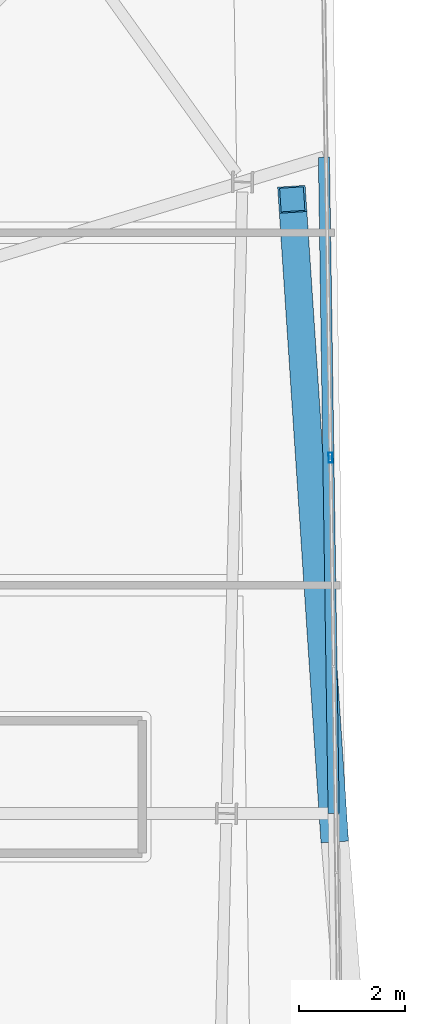
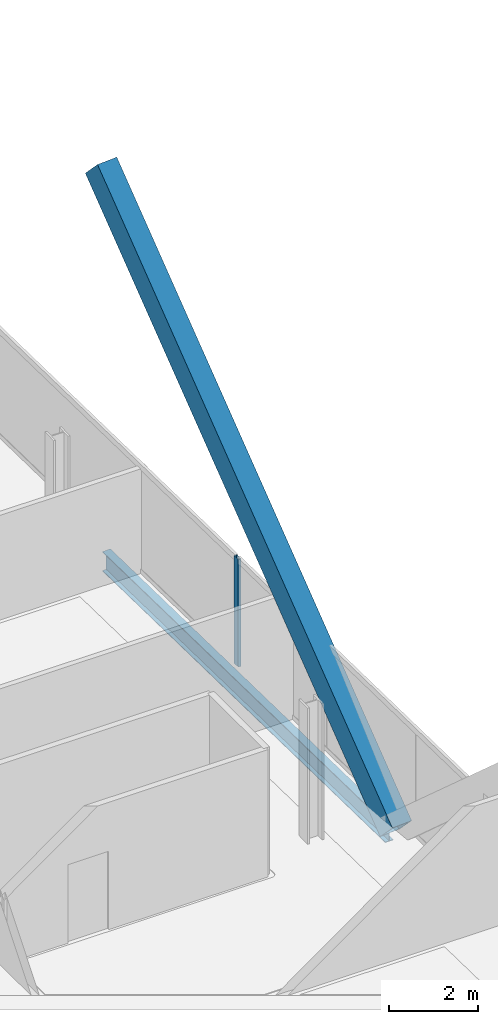
# One storey, part 13 of 25: 2 members, 1 beam, 1 element without a shape of its own.
"""IFC4 building model written with IfcOpenShell, lengths in metres."""

from ifc_helpers import new_model, si_unit, direction, frame, origin, origin_2d, place, context, subcontext, project, spatial, hollow_rectangle, i_section, extrude, material, material_profile, profile_set, type_object, element, aggregate, save


model = new_model("IFC4")

# Units and contexts
model_context = context("Model", 3, precision=1e-05, world=origin(), true_north=direction((0.0, 1.0)))
body_context = subcontext(model_context, "Body", "Model", "MODEL_VIEW")
ifc_project = project(units=[si_unit("LENGTHUNIT", "METRE"), si_unit("AREAUNIT", "SQUARE_METRE"), si_unit("VOLUMEUNIT", "CUBIC_METRE"), si_unit("PLANEANGLEUNIT", "RADIAN"), si_unit("MASSUNIT", "GRAM", prefix="KILO")], contexts=[model_context])

# Site, building, storey
site_placement = place(None, origin())
site = spatial("IfcSite", under=ifc_project, at=site_placement, CompositionType="ELEMENT")
building_placement = place(site_placement, origin())
building = spatial("IfcBuilding", under=site, at=building_placement, Name="Haldenkirk Collegiate Tower", CompositionType="ELEMENT")
storey_placement = place(building_placement, frame((0.0, 0.0, 332.699951171875)))
storey = spatial("IfcBuildingStorey", under=building, at=storey_placement, Name="L84", CompositionType="ELEMENT", Elevation=332.699951171875)

# Beam
ifc_material_1 = material(Name="Steel ASTM A992 Grade 50", Category="steel")
ifc_material_profile_1 = material_profile(ifc_material_1, i_section(OverallWidth=0.2099609375, OverallDepth=0.537109375, WebThickness=0.010986328125, FlangeThickness=0.017333984375, at=origin_2d()), Name="W21X68")
ifc_profile_set_1 = profile_set([ifc_material_profile_1], Name="Steel ASTM A992 Grade 50")
beam_type = type_object("IfcBeamType", Name="BM-SPANDREL-W21X68", PredefinedType="SPANDREL", material=ifc_profile_set_1)
beam_placement = place(storey_placement, frame((57.914794921875, 25.496337890625, -0.528564453125), z_axis=(-0.014828376593, 0.99989005358, 0.0), x_axis=(-0.99989005358, -0.014828376593, 0.0)))
element("IfcBeam", 1, at=beam_placement, inside=storey, type_object=beam_type, Name="L84 outer facade edge beam 1B", PredefinedType="SPANDREL", context=body_context, shape_type="SweptSolid", body=[
    extrude(i_section(OverallWidth=0.2099609375, OverallDepth=0.537109375, WebThickness=0.010986328125, FlangeThickness=0.017333984375, at=origin_2d()), origin(), (0.0, 0.0, 1.0), 12.38134765625),
])

# Curtain wall, member
ifc_material_2 = material(Name="Anodised architectural bronze aluminium", Category="aluminium")
curtain_wall_type = type_object("IfcCurtainWallType", Name="CW-SYS2-CONCAVE", PredefinedType="USERDEFINED", material=ifc_material_2)
curtain_wall_placement = place(storey_placement, origin())
curtain_wall = element("IfcCurtainWall", 2, at=curtain_wall_placement, inside=storey, type_object=curtain_wall_type, Name="L84 South concave recessed bronze-anodised curtain wall", ObjectType="UNITISED CURTAIN WALL", PredefinedType="USERDEFINED")
ifc_material_profile_2 = material_profile(ifc_material_2, hollow_rectangle(XDim=0.074951171875, YDim=0.18994140625, WallThickness=0.0048828125, at=origin_2d()), Name="CW-MUL-02")
ifc_profile_set_2 = profile_set([ifc_material_profile_2], Name="Anodised architectural bronze aluminium")
member_type_1 = type_object("IfcMemberType", Name="CW-MUL-02", PredefinedType="MULLION", material=ifc_profile_set_2)
member_1_placement = place(storey_placement, frame((57.855224609375, 32.208251953125, 0.0), z_axis=(0.0, 0.0, 1.0), x_axis=(0.99988998696, 0.014832868138, 0.0)))
member_1 = element("IfcMember", 3, at=member_1_placement, type_object=member_type_1, Name="CW-02 mullion 2", PredefinedType="MULLION", context=body_context, shape_type="SweptSolid", body=[
    extrude(hollow_rectangle(XDim=0.074951171875, YDim=0.18994140625, WallThickness=0.0048828125, at=origin_2d()), origin(), (0.0, 0.0, 1.0), 2.947998046875),
])
aggregate(curtain_wall, [member_1])

# Member
ifc_material_3 = material(Name="Steel ASTM A572 Grade 50", Category="steel")
ifc_material_profile_3 = material_profile(ifc_material_3, hollow_rectangle(XDim=0.52001953125, YDim=0.719970703125, WallThickness=0.035888671875, at=origin_2d()), Name="BOX720X520X36")
ifc_profile_set_3 = profile_set([ifc_material_profile_3], Name="Steel ASTM A572 Grade 50")
member_type_2 = type_object("IfcMemberType", Name="MBR-MEGABRACE-BOX720X520X36", PredefinedType="BRACE", material=ifc_profile_set_3)
member_2_placement = place(storey_placement, frame((57.919189453125, 25.2060546875, -0.27001953125), z_axis=(-0.047970802805, 0.725152176024, 0.686915659805), x_axis=(-0.997819063079, -0.066008464282, 0.0)))
element("IfcMember", 4, at=member_2_placement, inside=storey, type_object=member_type_2, Name="Perimeter Mega Brace Z6 L84-L86 SR", PredefinedType="BRACE", context=body_context, shape_type="SweptSolid", body=[
    extrude(hollow_rectangle(XDim=0.52001953125, YDim=0.719970703125, WallThickness=0.035888671875, at=origin_2d()), origin(), (0.0, 0.0, 1.0), 16.37744140625),
])

save(model, "model.ifc")
